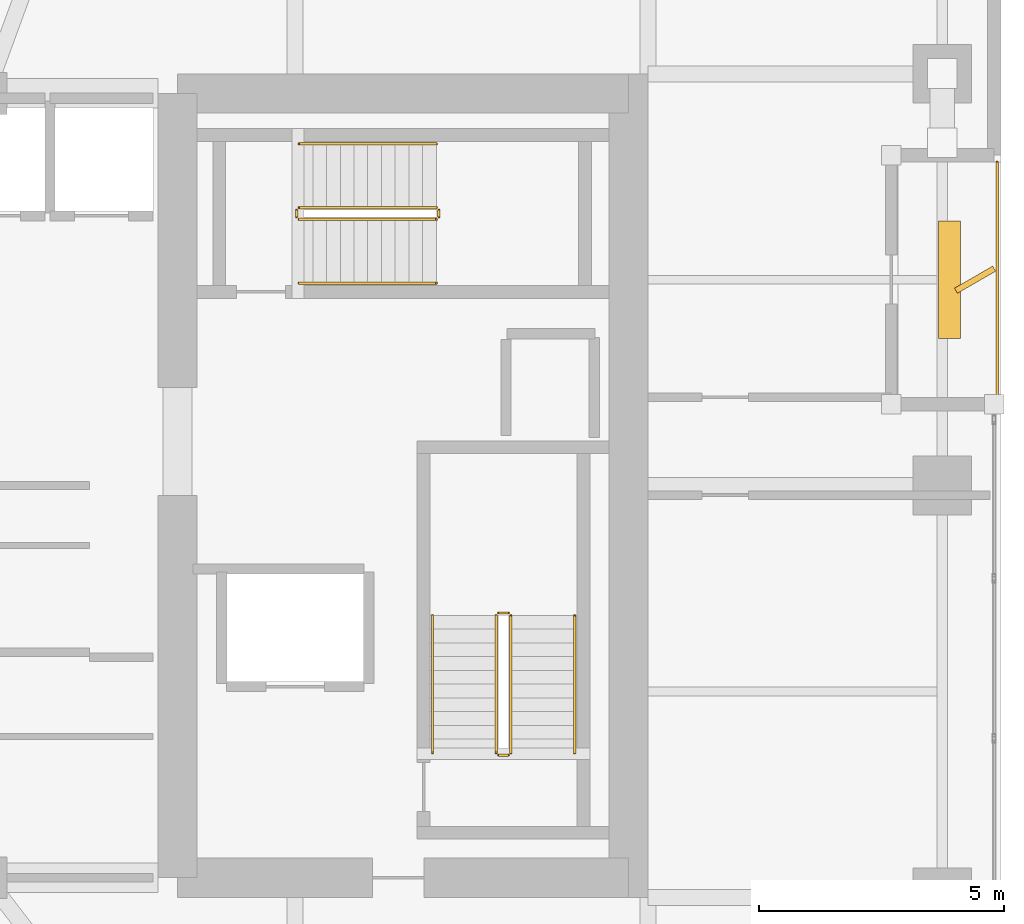
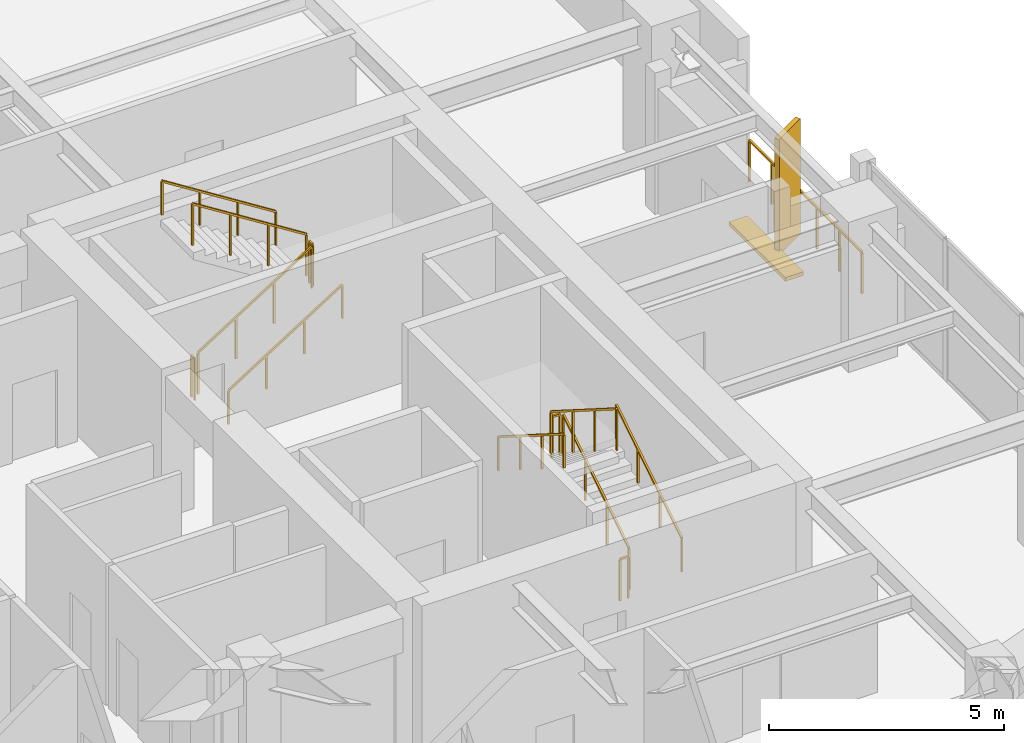
# One storey, part 29 of 30: 13 railings, 2 shading devices.
"""IFC4 building model written with IfcOpenShell, lengths in metres."""

from ifc_helpers import new_model, si_unit, direction, frame, origin, origin_2d, place, context, subcontext, project, spatial, rectangle, extrude, material, type_object, element, save


model = new_model("IFC4")

# Units and contexts
model_context = context("Model", 3, precision=1e-05, world=origin(), true_north=direction((0.0, 1.0)))
body_context = subcontext(model_context, "Body", "Model", "MODEL_VIEW")
ifc_project = project(units=[si_unit("LENGTHUNIT", "METRE"), si_unit("AREAUNIT", "SQUARE_METRE"), si_unit("VOLUMEUNIT", "CUBIC_METRE"), si_unit("PLANEANGLEUNIT", "RADIAN"), si_unit("MASSUNIT", "GRAM", prefix="KILO")], contexts=[model_context])

# Site, building, storey
site_placement = place(None, origin())
site = spatial("IfcSite", under=ifc_project, at=site_placement, CompositionType="ELEMENT")
building_placement = place(site_placement, origin())
building = spatial("IfcBuilding", under=site, at=building_placement, Name="Kiyonajd Concourse Tower", CompositionType="ELEMENT")
storey_placement = place(building_placement, frame((0.0, 0.0, 170.10009765625)))
storey = spatial("IfcBuildingStorey", under=building, at=storey_placement, Name="L43", CompositionType="ELEMENT", Elevation=170.10009765625)

# Railings
ifc_material_1 = material(Name="Thermally Broken Anodised Aluminium", Category="aluminium")
railing_type_1 = type_object("IfcRailingType", Name="RL-GRD-LOG", PredefinedType="GUARDRAIL", material=ifc_material_1)
railing_1_placement = place(storey_placement, frame((70.719970703125, 37.800048828125, 0.0)))
element("IfcRailing", 1, at=railing_1_placement, inside=storey, type_object=railing_type_1, Name="L43 Engawa Loggia Perimeter Guard LOG-E", PredefinedType="GUARDRAIL", context=body_context, shape_type="SweptSolid", body=[
    extrude(rectangle(XDim=0.048095703125, YDim=0.048095703125, at=origin_2d()), frame((0.0, 0.0, 1.076171875), z_axis=(0.0, 1.0, 0.0), x_axis=(-1.0, 0.0, 0.0)), (0.0, 0.0, 1.0), 4.800048828125),
    extrude(rectangle(XDim=0.0419921875, YDim=0.0419921875, at=origin_2d()), origin(), (0.0, 0.0, 1.0), 1.052001953125),
    extrude(rectangle(XDim=0.0419921875, YDim=0.0419921875, at=origin_2d()), frame((0.0, 0.9599609375, 0.0)), (0.0, 0.0, 1.0), 1.052001953125),
    extrude(rectangle(XDim=0.0419921875, YDim=0.0419921875, at=origin_2d()), frame((0.0, 1.919921875, 0.0)), (0.0, 0.0, 1.0), 1.052001953125),
    extrude(rectangle(XDim=0.0419921875, YDim=0.0419921875, at=origin_2d()), frame((0.0, 2.880126953125, 0.0)), (0.0, 0.0, 1.0), 1.052001953125),
    extrude(rectangle(XDim=0.0419921875, YDim=0.0419921875, at=origin_2d()), frame((0.0, 3.840087890625, 0.0)), (0.0, 0.0, 1.0), 1.052001953125),
    extrude(rectangle(XDim=0.0419921875, YDim=0.0419921875, at=origin_2d()), frame((0.0, 4.800048828125, 0.0)), (0.0, 0.0, 1.0), 1.052001953125),
])
ifc_material_2 = material(Name="Steel ASTM A500 Grade C", Category="steel")
railing_type_2 = type_object("IfcRailingType", Name="RL-GRD-STR", PredefinedType="GUARDRAIL", material=ifc_material_2)
railing_2_placement = place(storey_placement, frame((60.800048828125, 30.550048828125, 0.17724609375)))
element("IfcRailing", 2, at=railing_2_placement, inside=storey, type_object=railing_type_2, Name="L43 ST2 stair guard 1", PredefinedType="GUARDRAIL", context=body_context, shape_type="SweptSolid", body=[
    extrude(rectangle(XDim=0.048095703125, YDim=0.048095703125, at=origin_2d()), frame((0.0, 0.0, 1.076171875), z_axis=(0.0, 0.844908973607, 0.534910110503), x_axis=(-1.0, 0.0, 0.0)), (0.0, 0.0, 1.0), 3.31396484375),
    extrude(rectangle(XDim=0.0419921875, YDim=0.0419921875, at=origin_2d()), origin(), (0.0, 0.0, 1.0), 1.052001953125),
    extrude(rectangle(XDim=0.0419921875, YDim=0.0419921875, at=origin_2d()), frame((0.0, 0.933349609375, 0.5908203125)), (0.0, 0.0, 1.0), 1.052001953125),
    extrude(rectangle(XDim=0.0419921875, YDim=0.0419921875, at=origin_2d()), frame((0.0, 1.86669921875, 1.181884765625)), (0.0, 0.0, 1.0), 1.052001953125),
    extrude(rectangle(XDim=0.0419921875, YDim=0.0419921875, at=origin_2d()), frame((0.0, 2.800048828125, 1.772705078125)), (0.0, 0.0, 1.0), 1.052001953125),
])
railing_3_placement = place(storey_placement, frame((60.75, 33.39990234375, 1.949951171875)))
element("IfcRailing", 3, at=railing_3_placement, inside=storey, type_object=railing_type_2, Name="L43 ST2 stair guard 2", PredefinedType="GUARDRAIL", context=body_context, shape_type="SweptSolid", body=[
    extrude(rectangle(XDim=0.048095703125, YDim=0.048095703125, at=origin_2d()), frame((0.0, 0.0, 1.076171875), z_axis=(-1.0, 0.0, 0.0), x_axis=(0.0, -1.0, 0.0)), (0.0, 0.0, 1.0), 0.199951171875),
    extrude(rectangle(XDim=0.0419921875, YDim=0.0419921875, at=origin_2d()), origin(), (0.0, 0.0, 1.0), 1.052001953125),
    extrude(rectangle(XDim=0.0419921875, YDim=0.0419921875, at=origin_2d()), frame((-0.199951171875, 0.0, 0.0)), (0.0, 0.0, 1.0), 1.052001953125),
])
railing_4_placement = place(storey_placement, frame((60.5, 33.35009765625, 2.127197265625)))
element("IfcRailing", 4, at=railing_4_placement, inside=storey, type_object=railing_type_2, Name="L43 ST2 stair guard 3", PredefinedType="GUARDRAIL", context=body_context, shape_type="SweptSolid", body=[
    extrude(rectangle(XDim=0.048095703125, YDim=0.048095703125, at=origin_2d()), frame((0.0, 0.0, 1.076171875), z_axis=(0.0, -0.844908973607, 0.534910110503), x_axis=(1.0, 0.0, 0.0)), (0.0, 0.0, 1.0), 3.31396484375),
    extrude(rectangle(XDim=0.0419921875, YDim=0.0419921875, at=origin_2d()), origin(), (0.0, 0.0, 1.0), 1.052001953125),
    extrude(rectangle(XDim=0.0419921875, YDim=0.0419921875, at=origin_2d()), frame((0.0, -0.933349609375, 0.5908203125)), (0.0, 0.0, 1.0), 1.052001953125),
    extrude(rectangle(XDim=0.0419921875, YDim=0.0419921875, at=origin_2d()), frame((0.0, -1.86669921875, 1.181884765625)), (0.0, 0.0, 1.0), 1.052001953125),
    extrude(rectangle(XDim=0.0419921875, YDim=0.0419921875, at=origin_2d()), frame((0.0, -2.800048828125, 1.772705078125)), (0.0, 0.0, 1.0), 1.052001953125),
])
railing_5_placement = place(storey_placement, frame((60.75, 30.5, 0.0)))
element("IfcRailing", 5, at=railing_5_placement, inside=storey, type_object=railing_type_2, Name="L43 ST2 stair guard 4", PredefinedType="GUARDRAIL", context=body_context, shape_type="SweptSolid", body=[
    extrude(rectangle(XDim=0.048095703125, YDim=0.048095703125, at=origin_2d()), frame((0.0, 0.0, 1.076171875), z_axis=(-1.0, 0.0, 0.0), x_axis=(0.0, -1.0, 0.0)), (0.0, 0.0, 1.0), 0.199951171875),
    extrude(rectangle(XDim=0.0419921875, YDim=0.0419921875, at=origin_2d()), origin(), (0.0, 0.0, 1.0), 1.052001953125),
    extrude(rectangle(XDim=0.0419921875, YDim=0.0419921875, at=origin_2d()), frame((-0.199951171875, 0.0, 0.0)), (0.0, 0.0, 1.0), 1.052001953125),
])
railing_6_placement = place(storey_placement, frame((56.47998046875, 41.429931640625, 0.17724609375)))
element("IfcRailing", 6, at=railing_6_placement, inside=storey, type_object=railing_type_2, Name="L43 ST3 stair guard 1", PredefinedType="GUARDRAIL", context=body_context, shape_type="SweptSolid", body=[
    extrude(rectangle(XDim=0.048095703125, YDim=0.048095703125, at=origin_2d()), frame((0.0, 0.0, 1.076171875), z_axis=(0.844908973607, 0.0, 0.534910110503), x_axis=(0.0, 1.0, 0.0)), (0.0, 0.0, 1.0), 3.31396484375),
    extrude(rectangle(XDim=0.0419921875, YDim=0.0419921875, at=origin_2d()), origin(), (0.0, 0.0, 1.0), 1.052001953125),
    extrude(rectangle(XDim=0.0419921875, YDim=0.0419921875, at=origin_2d()), frame((0.933349609375, 0.0, 0.5908203125)), (0.0, 0.0, 1.0), 1.052001953125),
    extrude(rectangle(XDim=0.0419921875, YDim=0.0419921875, at=origin_2d()), frame((1.86669921875, 0.0, 1.181884765625)), (0.0, 0.0, 1.0), 1.052001953125),
    extrude(rectangle(XDim=0.0419921875, YDim=0.0419921875, at=origin_2d()), frame((2.800048828125, 0.0, 1.772705078125)), (0.0, 0.0, 1.0), 1.052001953125),
])
railing_7_placement = place(storey_placement, frame((59.330078125, 41.47998046875, 1.949951171875)))
element("IfcRailing", 7, at=railing_7_placement, inside=storey, type_object=railing_type_2, Name="L43 ST3 stair guard 2", PredefinedType="GUARDRAIL", context=body_context, shape_type="SweptSolid", body=[
    extrude(rectangle(XDim=0.048095703125, YDim=0.048095703125, at=origin_2d()), frame((0.0, 0.0, 1.076171875), z_axis=(0.0, 1.0, 0.0), x_axis=(-1.0, 0.0, 0.0)), (0.0, 0.0, 1.0), 0.14013671875),
    extrude(rectangle(XDim=0.0419921875, YDim=0.0419921875, at=origin_2d()), origin(), (0.0, 0.0, 1.0), 1.052001953125),
    extrude(rectangle(XDim=0.0419921875, YDim=0.0419921875, at=origin_2d()), frame((0.0, 0.14013671875, 0.0)), (0.0, 0.0, 1.0), 1.052001953125),
])
railing_8_placement = place(storey_placement, frame((59.280029296875, 41.669921875, 2.127197265625)))
element("IfcRailing", 8, at=railing_8_placement, inside=storey, type_object=railing_type_2, Name="L43 ST3 stair guard 3", PredefinedType="GUARDRAIL", context=body_context, shape_type="SweptSolid", body=[
    extrude(rectangle(XDim=0.048095703125, YDim=0.048095703125, at=origin_2d()), frame((0.0, 0.0, 1.076171875), z_axis=(-0.844908973607, 0.0, 0.534910110503), x_axis=(0.0, -1.0, 0.0)), (0.0, 0.0, 1.0), 3.31396484375),
    extrude(rectangle(XDim=0.0419921875, YDim=0.0419921875, at=origin_2d()), origin(), (0.0, 0.0, 1.0), 1.052001953125),
    extrude(rectangle(XDim=0.0419921875, YDim=0.0419921875, at=origin_2d()), frame((-0.933349609375, 0.0, 0.5908203125)), (0.0, 0.0, 1.0), 1.052001953125),
    extrude(rectangle(XDim=0.0419921875, YDim=0.0419921875, at=origin_2d()), frame((-1.86669921875, 0.0, 1.181884765625)), (0.0, 0.0, 1.0), 1.052001953125),
    extrude(rectangle(XDim=0.0419921875, YDim=0.0419921875, at=origin_2d()), frame((-2.800048828125, 0.0, 1.772705078125)), (0.0, 0.0, 1.0), 1.052001953125),
])
railing_9_placement = place(storey_placement, frame((56.429931640625, 41.47998046875, 0.0)))
element("IfcRailing", 9, at=railing_9_placement, inside=storey, type_object=railing_type_2, Name="L43 ST3 stair guard 4", PredefinedType="GUARDRAIL", context=body_context, shape_type="SweptSolid", body=[
    extrude(rectangle(XDim=0.048095703125, YDim=0.048095703125, at=origin_2d()), frame((0.0, 0.0, 1.076171875), z_axis=(0.0, 1.0, 0.0), x_axis=(-1.0, 0.0, 0.0)), (0.0, 0.0, 1.0), 0.14013671875),
    extrude(rectangle(XDim=0.0419921875, YDim=0.0419921875, at=origin_2d()), origin(), (0.0, 0.0, 1.0), 1.052001953125),
    extrude(rectangle(XDim=0.0419921875, YDim=0.0419921875, at=origin_2d()), frame((0.0, 0.14013671875, 0.0)), (0.0, 0.0, 1.0), 1.052001953125),
])
ifc_material_3 = material(Name="Brushed Stainless Steel Cab Assembly", Category="steel")
railing_type_3 = type_object("IfcRailingType", Name="RL-HND-900", PredefinedType="HANDRAIL", material=ifc_material_3)
railing_10_placement = place(storey_placement, frame((62.10009765625, 30.550048828125, 0.17724609375)))
element("IfcRailing", 10, at=railing_10_placement, inside=storey, type_object=railing_type_3, Name="L43 ST2 stair handrail 1", PredefinedType="HANDRAIL", context=body_context, shape_type="SweptSolid", body=[
    extrude(rectangle(XDim=0.048095703125, YDim=0.048095703125, at=origin_2d()), frame((0.0, 0.0, 0.8759765625), z_axis=(0.0, 0.844908973607, 0.534910110503), x_axis=(-1.0, 0.0, 0.0)), (0.0, 0.0, 1.0), 3.31396484375),
    extrude(rectangle(XDim=0.0419921875, YDim=0.0419921875, at=origin_2d()), origin(), (0.0, 0.0, 1.0), 0.851806640625),
    extrude(rectangle(XDim=0.0419921875, YDim=0.0419921875, at=origin_2d()), frame((0.0, 0.933349609375, 0.5908203125)), (0.0, 0.0, 1.0), 0.851806640625),
    extrude(rectangle(XDim=0.0419921875, YDim=0.0419921875, at=origin_2d()), frame((0.0, 1.86669921875, 1.181884765625)), (0.0, 0.0, 1.0), 0.851806640625),
    extrude(rectangle(XDim=0.0419921875, YDim=0.0419921875, at=origin_2d()), frame((0.0, 2.800048828125, 1.772705078125)), (0.0, 0.0, 1.0), 0.851806640625),
])
railing_11_placement = place(storey_placement, frame((59.199951171875, 33.35009765625, 2.127197265625)))
element("IfcRailing", 11, at=railing_11_placement, inside=storey, type_object=railing_type_3, Name="L43 ST2 stair handrail 2", PredefinedType="HANDRAIL", context=body_context, shape_type="SweptSolid", body=[
    extrude(rectangle(XDim=0.048095703125, YDim=0.048095703125, at=origin_2d()), frame((0.0, 0.0, 0.8759765625), z_axis=(0.0, -0.844908973607, 0.534910110503), x_axis=(1.0, 0.0, 0.0)), (0.0, 0.0, 1.0), 3.31396484375),
    extrude(rectangle(XDim=0.0419921875, YDim=0.0419921875, at=origin_2d()), origin(), (0.0, 0.0, 1.0), 0.851806640625),
    extrude(rectangle(XDim=0.0419921875, YDim=0.0419921875, at=origin_2d()), frame((0.0, -0.933349609375, 0.5908203125)), (0.0, 0.0, 1.0), 0.851806640625),
    extrude(rectangle(XDim=0.0419921875, YDim=0.0419921875, at=origin_2d()), frame((0.0, -1.86669921875, 1.181884765625)), (0.0, 0.0, 1.0), 0.851806640625),
    extrude(rectangle(XDim=0.0419921875, YDim=0.0419921875, at=origin_2d()), frame((0.0, -2.800048828125, 1.772705078125)), (0.0, 0.0, 1.0), 0.851806640625),
])
railing_12_placement = place(storey_placement, frame((56.47998046875, 40.1298828125, 0.17724609375)))
element("IfcRailing", 12, at=railing_12_placement, inside=storey, type_object=railing_type_3, Name="L43 ST3 stair handrail 1", PredefinedType="HANDRAIL", context=body_context, shape_type="SweptSolid", body=[
    extrude(rectangle(XDim=0.048095703125, YDim=0.048095703125, at=origin_2d()), frame((0.0, 0.0, 0.8759765625), z_axis=(0.844908973607, 0.0, 0.534910110503), x_axis=(0.0, 1.0, 0.0)), (0.0, 0.0, 1.0), 3.31396484375),
    extrude(rectangle(XDim=0.0419921875, YDim=0.0419921875, at=origin_2d()), origin(), (0.0, 0.0, 1.0), 0.851806640625),
    extrude(rectangle(XDim=0.0419921875, YDim=0.0419921875, at=origin_2d()), frame((0.933349609375, 0.0, 0.5908203125)), (0.0, 0.0, 1.0), 0.851806640625),
    extrude(rectangle(XDim=0.0419921875, YDim=0.0419921875, at=origin_2d()), frame((1.86669921875, 0.0, 1.181884765625)), (0.0, 0.0, 1.0), 0.851806640625),
    extrude(rectangle(XDim=0.0419921875, YDim=0.0419921875, at=origin_2d()), frame((2.800048828125, 0.0, 1.772705078125)), (0.0, 0.0, 1.0), 0.851806640625),
])
railing_13_placement = place(storey_placement, frame((59.280029296875, 42.969970703125, 2.127197265625)))
element("IfcRailing", 13, at=railing_13_placement, inside=storey, type_object=railing_type_3, Name="L43 ST3 stair handrail 2", PredefinedType="HANDRAIL", context=body_context, shape_type="SweptSolid", body=[
    extrude(rectangle(XDim=0.048095703125, YDim=0.048095703125, at=origin_2d()), frame((0.0, 0.0, 0.8759765625), z_axis=(-0.844908973607, 0.0, 0.534910110503), x_axis=(0.0, -1.0, 0.0)), (0.0, 0.0, 1.0), 3.31396484375),
    extrude(rectangle(XDim=0.0419921875, YDim=0.0419921875, at=origin_2d()), origin(), (0.0, 0.0, 1.0), 0.851806640625),
    extrude(rectangle(XDim=0.0419921875, YDim=0.0419921875, at=origin_2d()), frame((-0.933349609375, 0.0, 0.5908203125)), (0.0, 0.0, 1.0), 0.851806640625),
    extrude(rectangle(XDim=0.0419921875, YDim=0.0419921875, at=origin_2d()), frame((-1.86669921875, 0.0, 1.181884765625)), (0.0, 0.0, 1.0), 0.851806640625),
    extrude(rectangle(XDim=0.0419921875, YDim=0.0419921875, at=origin_2d()), frame((-2.800048828125, 0.0, 1.772705078125)), (0.0, 0.0, 1.0), 0.851806640625),
])

# Shading devices
ifc_material_4 = material(Name="Precast concrete C50/60", Category="concrete")
shading_device_type_1 = type_object("IfcShadingDeviceType", Name="SH-FIN-900", PredefinedType="USERDEFINED", material=ifc_material_4)
shading_device_1_placement = place(storey_placement, frame((70.27001953125, 40.199951171875, 0.0), z_axis=(0.0, 0.0, 1.0), x_axis=(0.866025403784, 0.5, 0.0)))
element("IfcShadingDevice", 14, at=shading_device_1_placement, inside=storey, type_object=shading_device_type_1, Name="L43 Angled Koshi Solar Fin LOG-E", ObjectType="FIN", PredefinedType="USERDEFINED", context=body_context, shape_type="SweptSolid", body=[
    extrude(rectangle(XDim=0.89990234375, YDim=0.1201171875, at=origin_2d()), origin(), (0.0, 0.0, 1.0), 3.0),
])
shading_device_type_2 = type_object("IfcShadingDeviceType", Name="SH-LVR-600", PredefinedType="JALOUSIE", material=ifc_material_1)
shading_device_2_placement = place(storey_placement, frame((69.75, 40.199951171875, -0.000244140625), z_axis=(0.0, 0.0, 1.0), x_axis=(0.0, 1.0, 0.0)))
element("IfcShadingDevice", 15, at=shading_device_2_placement, inside=storey, type_object=shading_device_type_2, Name="L43 Loggia Threshold Louver LOG-E", PredefinedType="JALOUSIE", context=body_context, shape_type="SweptSolid", body=[
    extrude(rectangle(XDim=2.39990234375, YDim=0.449951171875, at=origin_2d()), origin(), (0.0, 0.0, 1.0), 0.10009765625),
])

save(model, "model.ifc")
